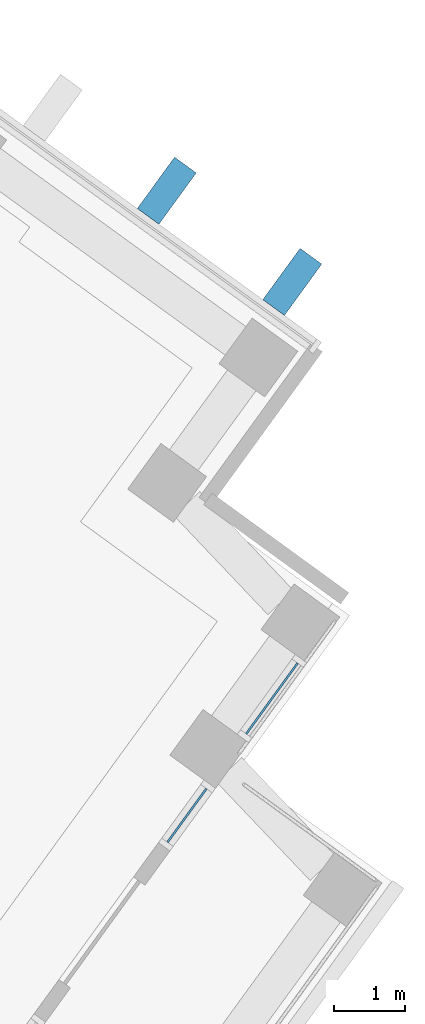
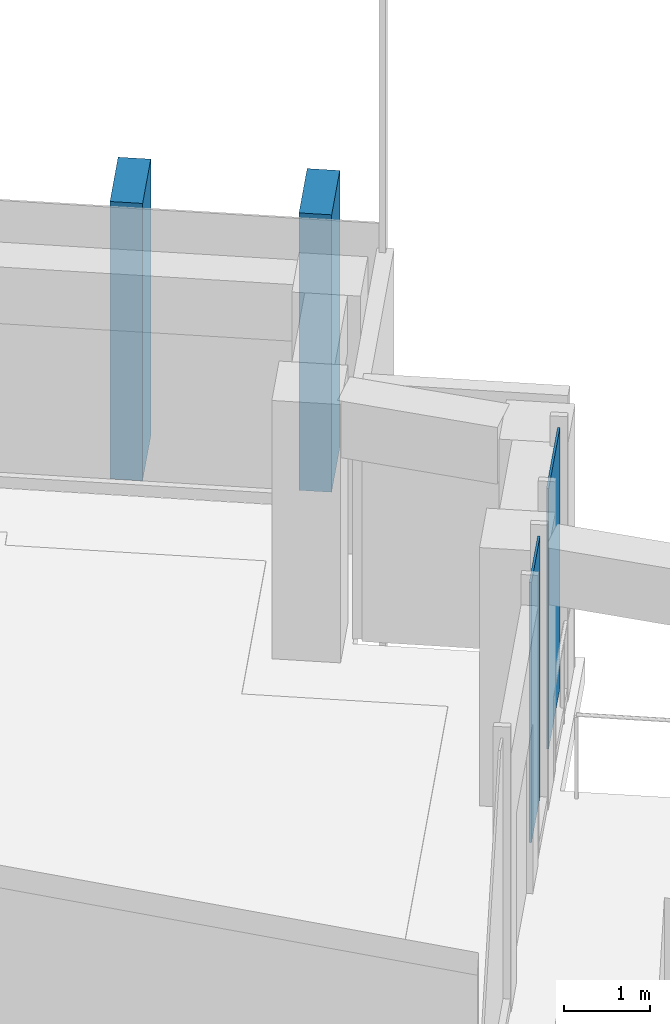
# One storey, part 7 of 14: 4 plates, 2 elements without a shape of their own.
"""IFC4 building model written with IfcOpenShell, lengths in metres."""

from ifc_helpers import new_model, si_unit, direction, frame, origin, origin_2d, place, context, subcontext, project, spatial, rectangle, extrude, material, layer, layer_set, type_object, element, aggregate, save


model = new_model("IFC4")

# Units and contexts
model_context = context("Model", 3, precision=1e-05, world=origin(), true_north=direction((0.0, 1.0)))
body_context = subcontext(model_context, "Body", "Model", "MODEL_VIEW")
ifc_project = project(units=[si_unit("LENGTHUNIT", "METRE"), si_unit("AREAUNIT", "SQUARE_METRE"), si_unit("VOLUMEUNIT", "CUBIC_METRE"), si_unit("PLANEANGLEUNIT", "RADIAN"), si_unit("MASSUNIT", "GRAM", prefix="KILO")], contexts=[model_context])

# Site, building, storey
site_placement = place(None, origin())
site = spatial("IfcSite", under=ifc_project, at=site_placement, CompositionType="ELEMENT")
building_placement = place(site_placement, origin())
building = spatial("IfcBuilding", under=site, at=building_placement, Name="Quipu Civic Tower", CompositionType="ELEMENT")
storey_placement = place(building_placement, frame((0.0, 0.0, 198.0)))
storey = spatial("IfcBuildingStorey", under=building, at=storey_placement, Name="L46", CompositionType="ELEMENT", Elevation=198.0)

# Curtain wall, plate
ifc_material_1 = material(Name="Insulated glass unit", Category="glass")
curtain_wall_type = type_object("IfcCurtainWallType", Name="Office curtain wall CW1", PredefinedType="NOTDEFINED", material=ifc_material_1)
curtain_wall_1_placement = place(storey_placement, origin())
curtain_wall_1 = element("IfcCurtainWall", 1, at=curtain_wall_1_placement, inside=storey, type_object=curtain_wall_type, Name="Office curtain wall CW1 L46 run 5", PredefinedType="NOTDEFINED")
ifc_material_2 = material(Name="Insulated glass unit", Category="glass")
ifc_layer = layer(ifc_material_2, 0.028076171875)
ifc_layer_set = layer_set([ifc_layer], Name="Insulated glass unit")
plate_type_1 = type_object("IfcPlateType", Name="Glass panel CW1", PredefinedType="CURTAIN_PANEL", material=ifc_layer_set)
plate_1_placement = place(storey_placement, frame((35.751708984375, 7.899658203125, 0.240234375), z_axis=(0.0, 0.0, 1.0), x_axis=(0.587831150148, 0.808983645641, 0.0)))
plate_1 = element("IfcPlate", 2, at=plate_1_placement, type_object=plate_type_1, Name="CW1 panel 1.1", PredefinedType="CURTAIN_PANEL", context=body_context, shape_type="SweptSolid", body=[
    extrude(rectangle(XDim=0.940185546875, YDim=0.028076171875, at=origin_2d()), origin(), (0.0, 0.0, 1.0), 3.679931640625),
])
aggregate(curtain_wall_1, [plate_1])

curtain_wall_2_placement = place(storey_placement, origin())
curtain_wall_2 = element("IfcCurtainWall", 3, at=curtain_wall_2_placement, inside=storey, type_object=curtain_wall_type, Name="Office curtain wall CW1 L46 run 6", PredefinedType="NOTDEFINED")
plate_2_placement = place(storey_placement, frame((36.956787109375, 9.558349609375, 0.240234375), z_axis=(0.0, 0.0, 1.0), x_axis=(0.587806418255, 0.80900161598, 0.0)))
plate_2 = element("IfcPlate", 4, at=plate_2_placement, type_object=plate_type_1, Name="CW1 panel 1.1", PredefinedType="CURTAIN_PANEL", context=body_context, shape_type="SweptSolid", body=[
    extrude(rectangle(XDim=1.240234375, YDim=0.028076171875, at=origin_2d()), origin(), (0.0, 0.0, 1.0), 3.679931640625),
])
aggregate(curtain_wall_2, [plate_2])

# Plates
ifc_material_3 = material(Name="Precast concrete C40/50", Category="concrete")
plate_type_2 = type_object("IfcPlateType", Name="Precast fin F2", PredefinedType="SHEET", material=ifc_material_3)
for number, where, z_axis, x_axis, name in (
    (5, (37.2451171875, 15.467529296875, 0.080078125), (0.0, 0.0, 1.0), (-0.809017072762, 0.587785144401, 0.0), "Precast fin F2 L46.P02.1"),
    (6, (35.46533203125, 16.7607421875, 0.080078125), (0.0, 0.0, 1.0), (-0.809017072762, 0.587785144401, 0.0), "Precast fin F2 L46.P02.2"),
):
    element("IfcPlate", number, at=place(storey_placement, frame(where, z_axis=z_axis, x_axis=x_axis)), inside=storey, type_object=plate_type_2, Name=name, PredefinedType="SHEET", context=body_context, shape_type="SweptSolid", body=[
        extrude(rectangle(XDim=0.3798828125, YDim=0.89990234375, at=origin_2d()), origin(), (0.0, 0.0, 1.0), 3.919921875),
    ])

save(model, "model.ifc")
